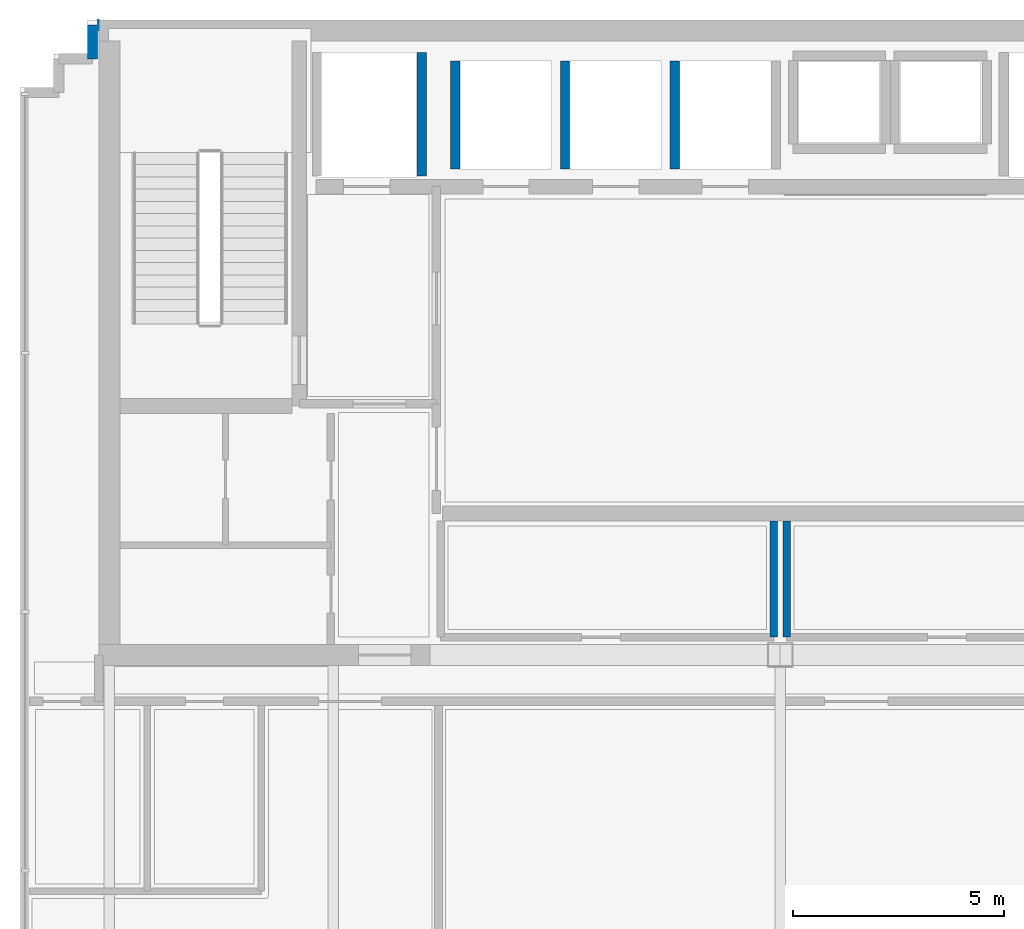
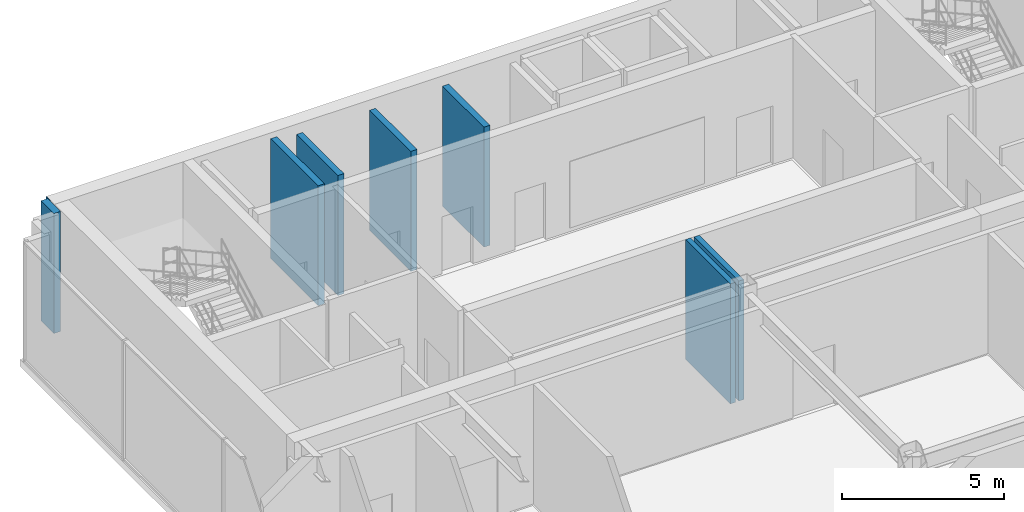
# One storey, part 6 of 11: 8 walls.
"""IFC4 building model written with IfcOpenShell, lengths in metres."""

from ifc_helpers import new_model, si_unit, direction, frame, frame_2d, origin, place, context, subcontext, project, spatial, rectangle, extrude, material, layer, layer_set, type_object, element, save


model = new_model("IFC4")

# Units and contexts
model_context = context("Model", 3, precision=1e-05, world=origin(), true_north=direction((0.0, 1.0)))
body_context = subcontext(model_context, "Body", "Model", "MODEL_VIEW")
ifc_project = project(units=[si_unit("LENGTHUNIT", "METRE"), si_unit("AREAUNIT", "SQUARE_METRE"), si_unit("VOLUMEUNIT", "CUBIC_METRE"), si_unit("PLANEANGLEUNIT", "RADIAN"), si_unit("MASSUNIT", "GRAM", prefix="KILO")], contexts=[model_context])

# Site, building, storey
site_placement = place(None, origin())
site = spatial("IfcSite", under=ifc_project, at=site_placement, CompositionType="ELEMENT")
building_placement = place(site_placement, origin())
building = spatial("IfcBuilding", under=site, at=building_placement, Name="Qianlan Lanfeng Residences", CompositionType="ELEMENT")
storey_placement = place(building_placement, frame((0.0, 0.0, 266.0)))
storey = spatial("IfcBuildingStorey", under=building, at=storey_placement, Name="L74", CompositionType="ELEMENT", Elevation=266.0)

# Walls
ifc_material_1 = material(Name="Concrete C42", Category="concrete")
ifc_layer_1 = layer(ifc_material_1, 0.239990234375)
ifc_layer_set_1 = layer_set([ifc_layer_1], Name="Concrete C42")
wall_type_1 = type_object("IfcWallType", Name="EW-240", PredefinedType="SOLIDWALL", material=ifc_layer_set_1)
wall_1_placement = place(storey_placement, frame((10.35009765625, 40.1298828125, 0.0), z_axis=(0.0, 0.0, 1.0), x_axis=(-1.0, 0.0, 0.0)))
element("IfcWall", 1, at=wall_1_placement, inside=storey, type_object=wall_type_1, Name="L74 North Wing Wall W", PredefinedType="SOLIDWALL", context=body_context, shape_type="SweptSolid", body=[
    extrude(rectangle(XDim=0.02001953125, YDim=0.239990234375, at=frame_2d((0.010009765625, 0.0))), origin(), (0.0, 0.0, 1.0), 4.52001953125),
])
wall_2_placement = place(storey_placement, frame((10.199951171875, 40.1298828125, 0.0), z_axis=(0.0, 0.0, 1.0), x_axis=(0.0, -1.0, 0.0)))
element("IfcWall", 2, at=wall_2_placement, inside=storey, type_object=wall_type_1, Name="L74 Exterior Facade Wall 2", PredefinedType="SOLIDWALL", context=body_context, shape_type="SweptSolid", body=[
    extrude(rectangle(XDim=0.7998046875, YDim=0.239990234375, at=frame_2d((0.39990234375, 0.0))), origin(), (0.0, 0.0, 1.0), 4.52001953125),
])
ifc_material_2 = material(Name="Double-Layer Acoustic Gypsum Stud Wall 180 mm")
ifc_layer_2 = layer(ifc_material_2, 0.179931640625)
ifc_layer_set_2 = layer_set([ifc_layer_2], Name="Double-Layer Acoustic Gypsum Stud Wall 180 mm")
wall_type_2 = type_object("IfcWallType", Name="PW-180", PredefinedType="PARTITIONING", material=ifc_layer_set_2)
for number, where, z_axis, x_axis, name in (
    (3, (26.35009765625, 25.6201171875, 0.0), (0.0, 0.0, 1.0), (0.0, 1.0, 0.0), "L74 Reclaimed Low-Bank Room East Wall"),
    (4, (26.64990234375, 25.6201171875, 0.0), (0.0, 0.0, 1.0), (0.0, 1.0, 0.0), "L74 Reclaimed Mid-Bank Room West Wall"),
):
    element("IfcWall", number, at=place(storey_placement, frame(where, z_axis=z_axis, x_axis=x_axis)), inside=storey, type_object=wall_type_2, Name=name, PredefinedType="PARTITIONING", context=body_context, shape_type="SweptSolid", body=[
        extrude(rectangle(XDim=2.7548828125, YDim=0.179931640625, at=frame_2d((1.37744140625, 0.0))), origin(), (0.0, 0.0, 1.0), 4.52001953125),
    ])
ifc_material_3 = material(Name="Concrete C49", Category="concrete")
ifc_layer_3 = layer(ifc_material_3, 0.219970703125)
ifc_layer_set_3 = layer_set([ifc_layer_3], Name="Concrete C49")
wall_type_3 = type_object("IfcWallType", Name="SHW-220", PredefinedType="SOLIDWALL", material=ifc_layer_set_3)
wall_3_placement = place(storey_placement, frame((18.0, 36.550048828125, 0.0), z_axis=(0.0, 0.0, 1.0), x_axis=(0.0, 1.0, 0.0)))
element("IfcWall", 5, at=wall_3_placement, inside=storey, type_object=wall_type_3, Name="L74 Lift FFL-1 Shaft Wall E", PredefinedType="SOLIDWALL", context=body_context, shape_type="SweptSolid", body=[
    extrude(rectangle(XDim=2.929931640625, YDim=0.219970703125, at=frame_2d((1.46484375, 0.0))), origin(), (0.0, 0.0, 1.0), 4.52001953125),
])
for number, where, z_axis, x_axis, name in (
    (6, (18.800048828125, 36.719970703125, 0.0), (0.0, 0.0, 1.0), (0.0, 1.0, 0.0), "L74 Lift PL-H1 Shaft Wall W"),
    (7, (21.39990234375, 36.719970703125, 0.0), (0.0, 0.0, 1.0), (0.0, 1.0, 0.0), "L74 Lift PL-H2 Shaft Wall W"),
    (8, (24.0, 36.719970703125, 0.0), (0.0, 0.0, 1.0), (0.0, 1.0, 0.0), "L74 Lift PL-H3 Shaft Wall W"),
):
    element("IfcWall", number, at=place(storey_placement, frame(where, z_axis=z_axis, x_axis=x_axis)), inside=storey, type_object=wall_type_3, Name=name, PredefinedType="SOLIDWALL", context=body_context, shape_type="SweptSolid", body=[
        extrude(rectangle(XDim=2.56005859375, YDim=0.219970703125, at=frame_2d((1.280029296875, 0.0))), origin(), (0.0, 0.0, 1.0), 4.52001953125),
    ])

save(model, "model.ifc")
